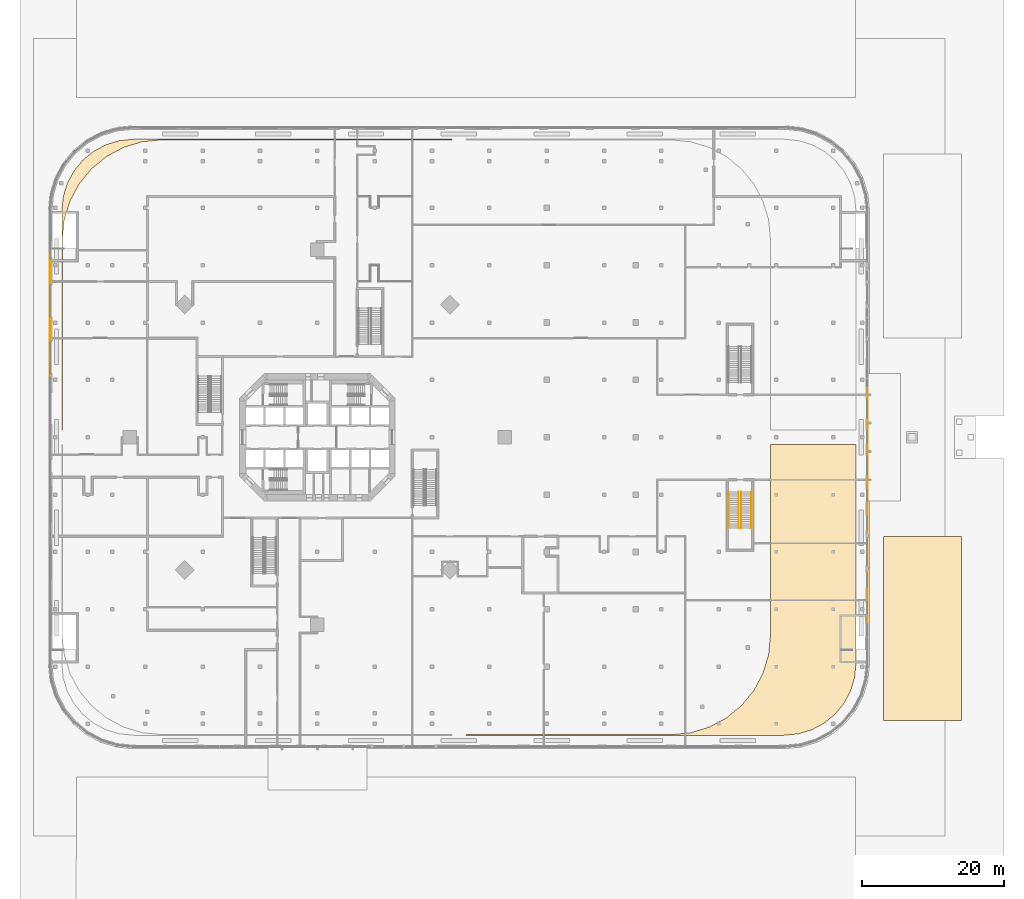
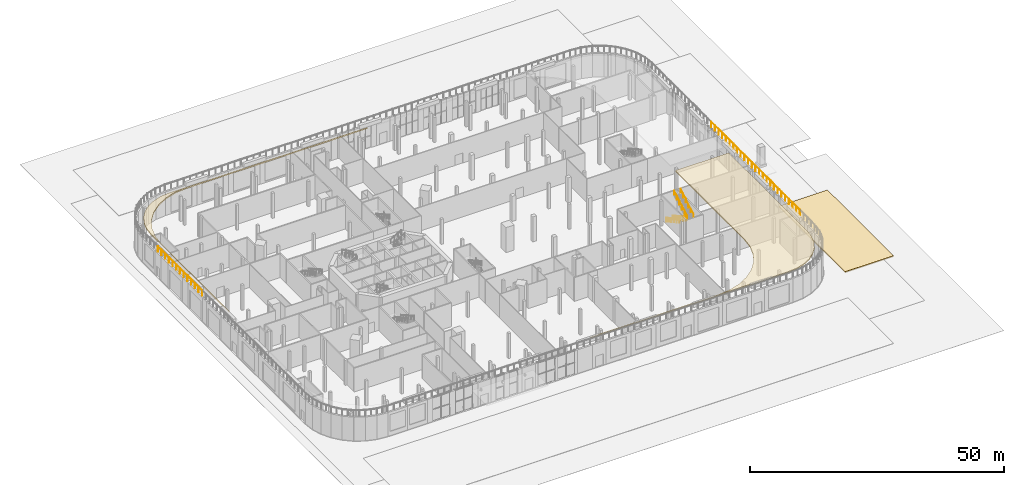
# One storey, part 29 of 32: 13 railings, 3 coverings, 1 element without a shape of its own.
"""IFC4 building model written with IfcOpenShell, lengths in metres."""

from ifc_helpers import new_model, si_unit, direction, frame, origin, origin_2d, place, context, subcontext, project, spatial, polyline, rectangle, outline, extrude, material, layer, layer_set, type_object, element, aggregate, save


model = new_model("IFC4")

# Units and contexts
model_context = context("Model", 3, precision=1e-05, world=origin(), true_north=direction((0.0, 1.0)))
body_context = subcontext(model_context, "Body", "Model", "MODEL_VIEW")
ifc_project = project(units=[si_unit("LENGTHUNIT", "METRE"), si_unit("AREAUNIT", "SQUARE_METRE"), si_unit("VOLUMEUNIT", "CUBIC_METRE"), si_unit("PLANEANGLEUNIT", "RADIAN"), si_unit("MASSUNIT", "GRAM", prefix="KILO")], contexts=[model_context])

# Site, building, storey
site_placement = place(None, origin())
site = spatial("IfcSite", under=ifc_project, at=site_placement, CompositionType="ELEMENT")
building_placement = place(site_placement, origin())
building = spatial("IfcBuilding", under=site, at=building_placement, Name="Torre Triforio", CompositionType="ELEMENT")
storey_placement = place(building_placement, origin())
storey = spatial("IfcBuildingStorey", under=building, at=storey_placement, Name="L00", CompositionType="ELEMENT", Elevation=0.0)

# Coverings
ifc_material_1 = material(Name="Planted topsoil bed")
ifc_layer = layer(ifc_material_1, 0.300048828125)
ifc_layer_set = layer_set([ifc_layer], Name="Planted topsoil bed")
covering_type = type_object("IfcCoveringType", Name="Planted bed 300", PredefinedType="FLOORING", material=ifc_layer_set)
covering_1_placement = place(storey_placement, frame((0.0, 0.0, -0.25)))
element("IfcCovering", 1, at=covering_1_placement, inside=storey, type_object=covering_type, Name="Public garden planted bed east south", PredefinedType="FLOORING", context=body_context, shape_type="SweptSolid", body=[
    extrude(outline(polyline([(91.0, -40.0), (91.0, -14.0), (80.0, -14.0), (80.0, -40.0), (91.0, -40.0)])), origin(), (0.0, 0.0, 1.0), 0.300048828125),
])
covering_2_placement = place(storey_placement, frame((0.0, 0.0, 6.0)))
element("IfcCovering", 2, at=covering_2_placement, inside=storey, type_object=covering_type, Name="Terrace T1 planted bed 2", PredefinedType="FLOORING", context=body_context, shape_type="SweptSolid", body=[
    extrude(outline(polyline([(-35.89697265625, 33.968505859375), (-35.32275390625, 35.861572265625), (-34.39013671875, 37.606201171875), (-33.13525390625, 39.13525390625), (-31.606201171875, 40.39013671875), (-29.861572265625, 41.32275390625), (-27.968505859375, 41.89697265625), (-25.90673828125, 42.10009765625), (19.0, 42.10009765625), (19.0, 42.0), (-22.098388671875, 42.0), (-24.733154296875, 41.740478515625), (-27.361328125, 40.943359375), (-29.783447265625, 39.648681640625), (-31.90625, 37.90625), (-33.648681640625, 35.783447265625), (-34.943359375, 33.361328125), (-35.740478515625, 30.733154296875), (-36.0, 28.098388671875), (-36.0, 1.0), (-36.10009765625, 1.0), (-36.10009765625, 31.90673828125), (-35.89697265625, 33.968505859375)])), origin(), (0.0, 0.0, 1.0), 0.300048828125),
])
covering_3_placement = place(storey_placement, frame((0.0, 0.0, 6.0)))
element("IfcCovering", 3, at=covering_3_placement, inside=storey, type_object=covering_type, Name="Terrace T1 planted bed 3", PredefinedType="FLOORING", context=body_context, shape_type="SweptSolid", body=[
    extrude(outline(polyline([(50.098388671875, -42.0), (52.733154296875, -41.740478515625), (55.361328125, -40.943359375), (57.783447265625, -39.648681640625), (59.90625, -37.90625), (61.648681640625, -35.783447265625), (62.943359375, -33.361328125), (63.740478515625, -30.733154296875), (64.0, -28.098388671875), (64.0, -1.0), (76.10009765625, -1.0), (76.10009765625, -31.90673828125), (75.89697265625, -33.968505859375), (75.32275390625, -35.861572265625), (74.39013671875, -37.606201171875), (73.13525390625, -39.13525390625), (71.606201171875, -40.39013671875), (69.861572265625, -41.32275390625), (67.968505859375, -41.89697265625), (65.90673828125, -42.10009765625), (21.0, -42.10009765625), (21.0, -42.0), (50.098388671875, -42.0)])), origin(), (0.0, 0.0, 1.0), 0.300048828125),
])

# Stair, railings
ifc_material_2 = material(Name="Concrete C40", Category="concrete")
stair_type = type_object("IfcStairType", Name="Egress stair 1400 clear", PredefinedType="NOTDEFINED", material=ifc_material_2)
stair_placement = place(storey_placement, origin())
stair = element("IfcStair", 4, at=stair_placement, inside=storey, type_object=stair_type, Name="Exit stair PS6 L00 to L01", PredefinedType="NOTDEFINED")
ifc_material_3 = material(Name="Stainless steel AISI 316", Category="steel")
railing_type_1 = type_object("IfcRailingType", Name="Stair handrail 920", PredefinedType="HANDRAIL", material=ifc_material_3)
railing_1_placement = place(storey_placement, frame((58.074951171875, -7.72509765625, 0.166748046875)))
railing_1 = element("IfcRailing", 5, at=railing_1_placement, type_object=railing_type_1, Name="Handrail PS6", PredefinedType="HANDRAIL", context=body_context, shape_type="SweptSolid", body=[
    extrude(rectangle(XDim=0.048095703125, YDim=0.048095703125, at=origin_2d()), frame((0.0, 0.0, 0.89599609375), z_axis=(0.0, -0.874157276122, 0.485642931179), x_axis=(1.0, 0.0, 0.0)), (0.0, 0.0, 1.0), 5.833984375),
    extrude(rectangle(XDim=0.0419921875, YDim=0.0419921875, at=origin_2d()), origin(), (0.0, 0.0, 1.0), 0.871826171875),
    extrude(rectangle(XDim=0.0419921875, YDim=0.0419921875, at=origin_2d()), frame((0.0, -1.02001953125, 0.566650390625)), (0.0, 0.0, 1.0), 0.871826171875),
    extrude(rectangle(XDim=0.0419921875, YDim=0.0419921875, at=origin_2d()), frame((0.0, -2.0400390625, 1.13330078125)), (0.0, 0.0, 1.0), 0.871826171875),
    extrude(rectangle(XDim=0.0419921875, YDim=0.0419921875, at=origin_2d()), frame((0.0, -3.059814453125, 1.699951171875)), (0.0, 0.0, 1.0), 0.871826171875),
    extrude(rectangle(XDim=0.0419921875, YDim=0.0419921875, at=origin_2d()), frame((0.0, -4.079833984375, 2.2666015625)), (0.0, 0.0, 1.0), 0.871826171875),
    extrude(rectangle(XDim=0.0419921875, YDim=0.0419921875, at=origin_2d()), frame((0.0, -5.099853515625, 2.833251953125)), (0.0, 0.0, 1.0), 0.871826171875),
])
railing_2_placement = place(storey_placement, frame((59.52490234375, -7.72509765625, 0.166748046875)))
railing_2 = element("IfcRailing", 6, at=railing_2_placement, type_object=railing_type_1, Name="Handrail PS6", PredefinedType="HANDRAIL", context=body_context, shape_type="SweptSolid", body=[
    extrude(rectangle(XDim=0.048095703125, YDim=0.048095703125, at=origin_2d()), frame((0.0, 0.0, 0.89599609375), z_axis=(0.0, -0.874157276122, 0.485642931179), x_axis=(1.0, 0.0, 0.0)), (0.0, 0.0, 1.0), 5.833984375),
    extrude(rectangle(XDim=0.0419921875, YDim=0.0419921875, at=origin_2d()), origin(), (0.0, 0.0, 1.0), 0.871826171875),
    extrude(rectangle(XDim=0.0419921875, YDim=0.0419921875, at=origin_2d()), frame((0.0, -1.02001953125, 0.566650390625)), (0.0, 0.0, 1.0), 0.871826171875),
    extrude(rectangle(XDim=0.0419921875, YDim=0.0419921875, at=origin_2d()), frame((0.0, -2.0400390625, 1.13330078125)), (0.0, 0.0, 1.0), 0.871826171875),
    extrude(rectangle(XDim=0.0419921875, YDim=0.0419921875, at=origin_2d()), frame((0.0, -3.059814453125, 1.699951171875)), (0.0, 0.0, 1.0), 0.871826171875),
    extrude(rectangle(XDim=0.0419921875, YDim=0.0419921875, at=origin_2d()), frame((0.0, -4.079833984375, 2.2666015625)), (0.0, 0.0, 1.0), 0.871826171875),
    extrude(rectangle(XDim=0.0419921875, YDim=0.0419921875, at=origin_2d()), frame((0.0, -5.099853515625, 2.833251953125)), (0.0, 0.0, 1.0), 0.871826171875),
])
railing_3_placement = place(storey_placement, frame((59.875, -12.824951171875, 3.166748046875)))
railing_3 = element("IfcRailing", 7, at=railing_3_placement, type_object=railing_type_1, Name="Handrail PS6", PredefinedType="HANDRAIL", context=body_context, shape_type="SweptSolid", body=[
    extrude(rectangle(XDim=0.048095703125, YDim=0.048095703125, at=origin_2d()), frame((0.0, 0.0, 0.89599609375), z_axis=(0.0, 0.874157276122, 0.485642931179), x_axis=(-1.0, 0.0, 0.0)), (0.0, 0.0, 1.0), 5.833984375),
    extrude(rectangle(XDim=0.0419921875, YDim=0.0419921875, at=origin_2d()), origin(), (0.0, 0.0, 1.0), 0.871826171875),
    extrude(rectangle(XDim=0.0419921875, YDim=0.0419921875, at=origin_2d()), frame((0.0, 1.02001953125, 0.566650390625)), (0.0, 0.0, 1.0), 0.871826171875),
    extrude(rectangle(XDim=0.0419921875, YDim=0.0419921875, at=origin_2d()), frame((0.0, 2.0400390625, 1.13330078125)), (0.0, 0.0, 1.0), 0.871826171875),
    extrude(rectangle(XDim=0.0419921875, YDim=0.0419921875, at=origin_2d()), frame((0.0, 3.059814453125, 1.699951171875)), (0.0, 0.0, 1.0), 0.871826171875),
    extrude(rectangle(XDim=0.0419921875, YDim=0.0419921875, at=origin_2d()), frame((0.0, 4.079833984375, 2.2666015625)), (0.0, 0.0, 1.0), 0.871826171875),
    extrude(rectangle(XDim=0.0419921875, YDim=0.0419921875, at=origin_2d()), frame((0.0, 5.099853515625, 2.833251953125)), (0.0, 0.0, 1.0), 0.871826171875),
])
railing_4_placement = place(storey_placement, frame((61.324951171875, -12.824951171875, 3.166748046875)))
railing_4 = element("IfcRailing", 8, at=railing_4_placement, type_object=railing_type_1, Name="Handrail PS6", PredefinedType="HANDRAIL", context=body_context, shape_type="SweptSolid", body=[
    extrude(rectangle(XDim=0.048095703125, YDim=0.048095703125, at=origin_2d()), frame((0.0, 0.0, 0.89599609375), z_axis=(0.0, 0.874157276122, 0.485642931179), x_axis=(-1.0, 0.0, 0.0)), (0.0, 0.0, 1.0), 5.833984375),
    extrude(rectangle(XDim=0.0419921875, YDim=0.0419921875, at=origin_2d()), origin(), (0.0, 0.0, 1.0), 0.871826171875),
    extrude(rectangle(XDim=0.0419921875, YDim=0.0419921875, at=origin_2d()), frame((0.0, 1.02001953125, 0.566650390625)), (0.0, 0.0, 1.0), 0.871826171875),
    extrude(rectangle(XDim=0.0419921875, YDim=0.0419921875, at=origin_2d()), frame((0.0, 2.0400390625, 1.13330078125)), (0.0, 0.0, 1.0), 0.871826171875),
    extrude(rectangle(XDim=0.0419921875, YDim=0.0419921875, at=origin_2d()), frame((0.0, 3.059814453125, 1.699951171875)), (0.0, 0.0, 1.0), 0.871826171875),
    extrude(rectangle(XDim=0.0419921875, YDim=0.0419921875, at=origin_2d()), frame((0.0, 4.079833984375, 2.2666015625)), (0.0, 0.0, 1.0), 0.871826171875),
    extrude(rectangle(XDim=0.0419921875, YDim=0.0419921875, at=origin_2d()), frame((0.0, 5.099853515625, 2.833251953125)), (0.0, 0.0, 1.0), 0.871826171875),
])
aggregate(stair, [railing_1, railing_2, railing_3, railing_4])

# Railings
railing_type_2 = type_object("IfcRailingType", Name="Terrace balustrade 1300", PredefinedType="BALUSTRADE", material=ifc_material_3)
railing_5_placement = place(storey_placement, frame((77.75, -26.171875, 6.0)))
element("IfcRailing", 9, at=railing_5_placement, inside=storey, type_object=railing_type_2, Name="Terrace T1 balustrade 09.2", PredefinedType="BALUSTRADE", context=body_context, shape_type="SweptSolid", body=[
    extrude(rectangle(XDim=0.050048828125, YDim=0.050048828125, at=origin_2d()), frame((0.0, 0.0, 1.27490234375), z_axis=(0.0, 1.0, 0.0), x_axis=(-1.0, 0.0, 0.0)), (0.0, 0.0, 1.0), 5.816162109375),
    extrude(rectangle(XDim=0.0400390625, YDim=0.0400390625, at=origin_2d()), origin(), (0.0, 0.0, 1.0), 1.25),
    extrude(rectangle(XDim=0.0400390625, YDim=0.0400390625, at=origin_2d()), frame((0.0, 1.4541015625, 0.0)), (0.0, 0.0, 1.0), 1.25),
    extrude(rectangle(XDim=0.0400390625, YDim=0.0400390625, at=origin_2d()), frame((0.0, 2.908203125, 0.0)), (0.0, 0.0, 1.0), 1.25),
    extrude(rectangle(XDim=0.0400390625, YDim=0.0400390625, at=origin_2d()), frame((0.0, 4.362060546875, 0.0)), (0.0, 0.0, 1.0), 1.25),
    extrude(rectangle(XDim=0.0400390625, YDim=0.0400390625, at=origin_2d()), frame((0.0, 5.816162109375, 0.0)), (0.0, 0.0, 1.0), 1.25),
])
for number, where, name in (
    (10, (77.75, -20.355712890625, 6.0), "Terrace T1 balustrade 09.3"),
    (11, (77.75, -14.539794921875, 6.0), "Terrace T1 balustrade 09.4"),
    (12, (77.75, -8.723876953125, 6.0), "Terrace T1 balustrade 09.5"),
    (13, (77.75, -2.907958984375, 6.0), "Terrace T1 balustrade 09.6"),
    (14, (77.75, 2.907958984375, 6.0), "Terrace T1 balustrade 09.7"),
):
    element("IfcRailing", number, at=place(storey_placement, frame(where)), inside=storey, type_object=railing_type_2, Name=name, PredefinedType="BALUSTRADE", context=body_context, shape_type="SweptSolid", body=[
        extrude(rectangle(XDim=0.050048828125, YDim=0.050048828125, at=origin_2d()), frame((0.0, 0.0, 1.27490234375), z_axis=(0.0, 1.0, 0.0), x_axis=(-1.0, 0.0, 0.0)), (0.0, 0.0, 1.0), 5.81591796875),
        extrude(rectangle(XDim=0.0400390625, YDim=0.0400390625, at=origin_2d()), origin(), (0.0, 0.0, 1.0), 1.25),
        extrude(rectangle(XDim=0.0400390625, YDim=0.0400390625, at=origin_2d()), frame((0.0, 1.4541015625, 0.0)), (0.0, 0.0, 1.0), 1.25),
        extrude(rectangle(XDim=0.0400390625, YDim=0.0400390625, at=origin_2d()), frame((0.0, 2.907958984375, 0.0)), (0.0, 0.0, 1.0), 1.25),
        extrude(rectangle(XDim=0.0400390625, YDim=0.0400390625, at=origin_2d()), frame((0.0, 4.36181640625, 0.0)), (0.0, 0.0, 1.0), 1.25),
        extrude(rectangle(XDim=0.0400390625, YDim=0.0400390625, at=origin_2d()), frame((0.0, 5.81591796875, 0.0)), (0.0, 0.0, 1.0), 1.25),
    ])
railing_6_placement = place(storey_placement, frame((-37.75, 26.171875, 6.0)))
element("IfcRailing", 15, at=railing_6_placement, inside=storey, type_object=railing_type_2, Name="Terrace T1 balustrade 27.2", PredefinedType="BALUSTRADE", context=body_context, shape_type="SweptSolid", body=[
    extrude(rectangle(XDim=0.050048828125, YDim=0.050048828125, at=origin_2d()), frame((0.0, 0.0, 1.27490234375), z_axis=(0.0, -1.0, 0.0), x_axis=(1.0, 0.0, 0.0)), (0.0, 0.0, 1.0), 5.816162109375),
    extrude(rectangle(XDim=0.0400390625, YDim=0.0400390625, at=origin_2d()), origin(), (0.0, 0.0, 1.0), 1.25),
    extrude(rectangle(XDim=0.0400390625, YDim=0.0400390625, at=origin_2d()), frame((0.0, -1.4541015625, 0.0)), (0.0, 0.0, 1.0), 1.25),
    extrude(rectangle(XDim=0.0400390625, YDim=0.0400390625, at=origin_2d()), frame((0.0, -2.908203125, 0.0)), (0.0, 0.0, 1.0), 1.25),
    extrude(rectangle(XDim=0.0400390625, YDim=0.0400390625, at=origin_2d()), frame((0.0, -4.362060546875, 0.0)), (0.0, 0.0, 1.0), 1.25),
    extrude(rectangle(XDim=0.0400390625, YDim=0.0400390625, at=origin_2d()), frame((0.0, -5.816162109375, 0.0)), (0.0, 0.0, 1.0), 1.25),
])
for number, where, name in (
    (16, (-37.75, 20.355712890625, 6.0), "Terrace T1 balustrade 27.3"),
    (17, (-37.75, 14.539794921875, 6.0), "Terrace T1 balustrade 27.4"),
):
    element("IfcRailing", number, at=place(storey_placement, frame(where)), inside=storey, type_object=railing_type_2, Name=name, PredefinedType="BALUSTRADE", context=body_context, shape_type="SweptSolid", body=[
        extrude(rectangle(XDim=0.050048828125, YDim=0.050048828125, at=origin_2d()), frame((0.0, 0.0, 1.27490234375), z_axis=(0.0, -1.0, 0.0), x_axis=(1.0, 0.0, 0.0)), (0.0, 0.0, 1.0), 5.81591796875),
        extrude(rectangle(XDim=0.0400390625, YDim=0.0400390625, at=origin_2d()), origin(), (0.0, 0.0, 1.0), 1.25),
        extrude(rectangle(XDim=0.0400390625, YDim=0.0400390625, at=origin_2d()), frame((0.0, -1.4541015625, 0.0)), (0.0, 0.0, 1.0), 1.25),
        extrude(rectangle(XDim=0.0400390625, YDim=0.0400390625, at=origin_2d()), frame((0.0, -2.907958984375, 0.0)), (0.0, 0.0, 1.0), 1.25),
        extrude(rectangle(XDim=0.0400390625, YDim=0.0400390625, at=origin_2d()), frame((0.0, -4.36181640625, 0.0)), (0.0, 0.0, 1.0), 1.25),
        extrude(rectangle(XDim=0.0400390625, YDim=0.0400390625, at=origin_2d()), frame((0.0, -5.81591796875, 0.0)), (0.0, 0.0, 1.0), 1.25),
    ])

save(model, "model.ifc")
